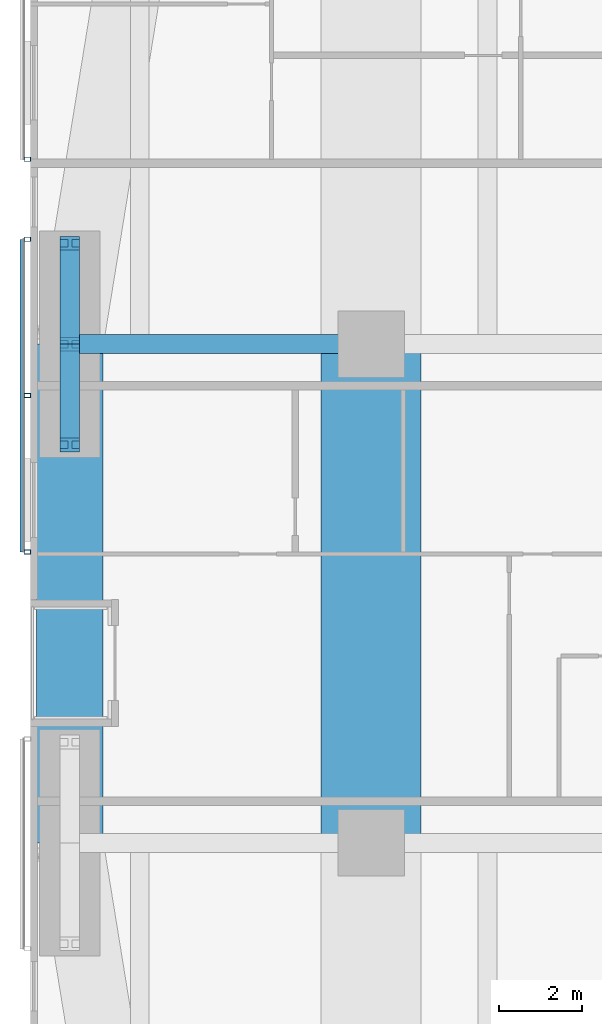
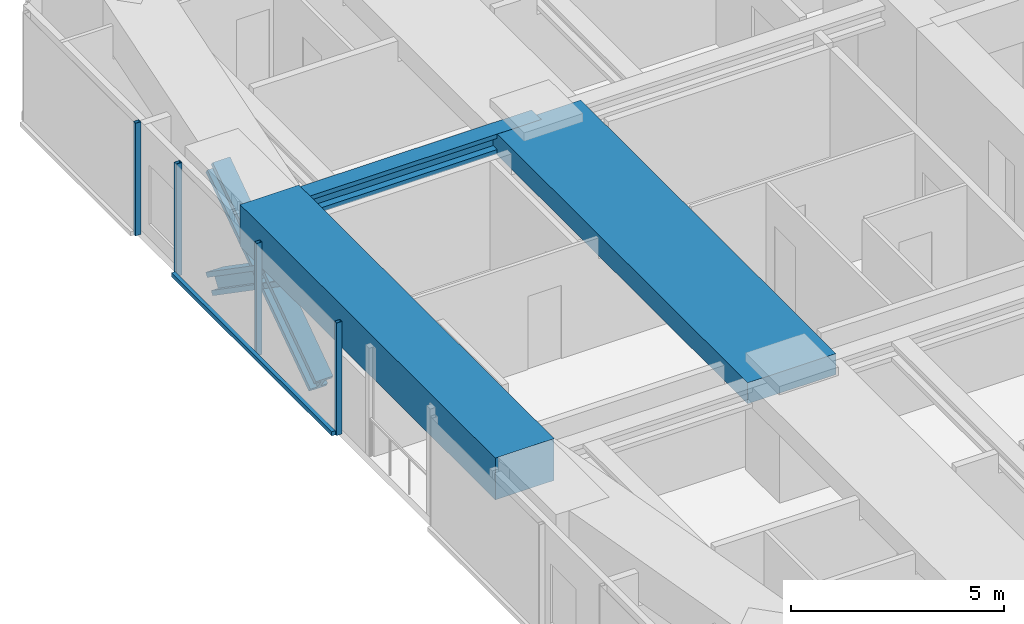
# One storey, part 6 of 23: 9 members, 3 beams, 2 elements without a shape of their own.
"""IFC4 building model written with IfcOpenShell, lengths in metres."""

import ifcopenshell
import ifcopenshell.guid

model = None  # the IFC model being written
_history = None  # IfcOwnerHistory: only IFC2X3 demands one
_inside = {}  # id of a spatial element -> (the spatial element, [elements in it])
_under = {}  # id of a project, library or spatial element -> (it, [spatial elements below it])
_declared = {}  # id of a project -> (the project, [libraries it declares])
_typed = {}  # id of a type object -> (the type object, [elements of that type])
_made_of = {}  # id of a material, layer set ... -> (it, [elements and type objects made of it])


def new_model(schema):
    """Start an empty IFC model of exactly this schema.

    Asked for "IFC4X3", IfcOpenShell would pick the latest addendum, in which some entities
    have other attributes; the version numbers below select the first issue.
    IFC2X3 requires an IfcOwnerHistory on every rooted entity: one is made here for all.
    """
    global model, _history
    if schema == "IFC4X3":
        model = ifcopenshell.file(schema_version=(4, 3, 0, 0))
    else:
        model = ifcopenshell.file(schema=schema)
    _inside.clear()
    _under.clear()
    _declared.clear()
    _typed.clear()
    _made_of.clear()
    _history = None
    if model.schema == "IFC2X3":
        org = make("IfcOrganization", Name="unknown")
        user = make(
            "IfcPersonAndOrganization",
            ThePerson=make("IfcPerson", FamilyName="unknown"),
            TheOrganization=org,
        )
        app = make(
            "IfcApplication",
            ApplicationDeveloper=org,
            Version="unknown",
            ApplicationFullName="unknown",
            ApplicationIdentifier="unknown",
        )
        _history = make(
            "IfcOwnerHistory",
            OwningUser=user,
            OwningApplication=app,
            ChangeAction="ADDED",
            CreationDate=0,
        )
    return model


def make(cls, **values):
    """One entity of the class cls with the attributes given. An attribute that is None is left unset."""
    return model.create_entity(
        cls, **{name: value for name, value in values.items() if value is not None}
    )


def rooted(cls, **values):
    """An entity with a GlobalId (a new one), such as an element, a storey or a relation."""
    return make(cls, GlobalId=ifcopenshell.guid.new(), OwnerHistory=_history, **values)


def si_unit(unit_type, name, prefix=None):
    """IfcSIUnit, for example si_unit("LENGTHUNIT", "METRE", prefix="MILLI")."""
    return make("IfcSIUnit", UnitType=unit_type, Prefix=prefix, Name=name)


def assignment(units):
    """IfcUnitAssignment: the units of a project."""
    return None if units is None else make("IfcUnitAssignment", Units=units)


def point(xyz):
    """IfcCartesianPoint."""
    return None if xyz is None else make("IfcCartesianPoint", Coordinates=xyz)


def direction(xyz):
    """IfcDirection."""
    return None if xyz is None else make("IfcDirection", DirectionRatios=xyz)


def frame(location, z_axis=None, x_axis=None):
    """IfcAxis2Placement3D, a coordinate frame: its origin and axes. An axis left out is left unset."""
    return make(
        "IfcAxis2Placement3D",
        Location=point(location),
        Axis=direction(z_axis),
        RefDirection=direction(x_axis),
    )


def frame_2d(location, x_axis=None):
    """IfcAxis2Placement2D, a coordinate frame in the plane: its origin and x axis."""
    return make(
        "IfcAxis2Placement2D", Location=point(location), RefDirection=direction(x_axis)
    )


def origin():
    """The frame at (0, 0, 0) with its axes left unset."""
    return frame((0.0, 0.0, 0.0))


def origin_2d():
    """The frame at (0, 0) in the plane with its x axis left unset."""
    return frame_2d((0.0, 0.0))


def place(relative_to, where):
    """IfcLocalPlacement: puts the frame where relative to a parent placement (None: the world)."""
    return make(
        "IfcLocalPlacement", PlacementRelTo=relative_to, RelativePlacement=where
    )


def context(
    kind, dimensions, precision=None, world=None, true_north=None, identifier=None
):
    """IfcGeometricRepresentationContext, for example the 3D "Model" context."""
    return make(
        "IfcGeometricRepresentationContext",
        ContextIdentifier=identifier,
        ContextType=kind,
        CoordinateSpaceDimension=dimensions,
        Precision=precision,
        WorldCoordinateSystem=world,
        TrueNorth=true_north,
    )


def subcontext(parent, identifier, kind, view, scale=None):
    """IfcGeometricRepresentationSubContext, for example "Body" below "Model"."""
    return make(
        "IfcGeometricRepresentationSubContext",
        ContextIdentifier=identifier,
        ContextType=kind,
        ParentContext=parent,
        TargetScale=scale,
        TargetView=view,
    )


def project(units=None, contexts=None):
    """IfcProject with its units and contexts."""
    return rooted(
        "IfcProject",
        Name="project",
        RepresentationContexts=contexts,
        UnitsInContext=assignment(units),
    )


def spatial(cls, under=None, at=None, **own):
    """A site, building, storey or space (cls), placed at a placement, below another one or the project."""
    s = rooted(cls, ObjectPlacement=at, **own)
    if under is not None:
        _under.setdefault(under.id(), (under, []))[1].append(s)
    return s


def profile(cls, at=None, kind="AREA", **sizes):
    """A parametric profile (cls). Its sizes go by their IFC names, for example OverallWidth=200.0."""
    return make(cls, ProfileType=kind, Position=at, **sizes)


def rectangle(**sizes):
    """IfcRectangleProfileDef."""
    return profile("IfcRectangleProfileDef", **sizes)


def hollow_rectangle(**sizes):
    """IfcRectangleHollowProfileDef."""
    return profile("IfcRectangleHollowProfileDef", **sizes)


def i_section(**sizes):
    """IfcIShapeProfileDef."""
    return profile("IfcIShapeProfileDef", **sizes)


def extrude(swept, where, along, depth):
    """IfcExtrudedAreaSolid: the profile swept, set in the frame where, extruded along a direction by depth."""
    return make(
        "IfcExtrudedAreaSolid",
        SweptArea=swept,
        Position=where,
        ExtrudedDirection=direction(along),
        Depth=depth,
    )


def shape(context_of_items, identifier, shape_type, items):
    """IfcShapeRepresentation: the items that make up one representation, for example the "Body"."""
    return make(
        "IfcShapeRepresentation",
        ContextOfItems=context_of_items,
        RepresentationIdentifier=identifier,
        RepresentationType=shape_type,
        Items=items,
    )


def material(Name=None, Category=None):
    """IfcMaterial."""
    return make("IfcMaterial", Name=Name, Category=Category)


def material_profile(
    of_material, cross_section, Name=None, Category=None, Priority=None
):
    """IfcMaterialProfile: a cross section and its material."""
    return make(
        "IfcMaterialProfile",
        Name=Name,
        Material=of_material,
        Profile=cross_section,
        Priority=Priority,
        Category=Category,
    )


def profile_set(profiles, Name=None, composite=None):
    """IfcMaterialProfileSet."""
    return make(
        "IfcMaterialProfileSet",
        Name=Name,
        MaterialProfiles=profiles,
        CompositeProfile=composite,
    )


def made_of(thing, what):
    """Note that an element or type object is made of a material, layer set ...; save() writes the relation."""
    if what is not None:
        _made_of.setdefault(what.id(), (what, []))[1].append(thing)
    return thing


def type_object(cls, material=None, **own):
    """A type object (cls), such as IfcWallType, which elements share."""
    return made_of(rooted(cls, **own), material)


def element(
    cls,
    number,
    at=None,
    inside=None,
    cuts=None,
    type_object=None,
    material=None,
    context=None,
    identifier="Body",
    shape_type=None,
    held_by="IfcProductDefinitionShape",
    body=None,
    shapes=None,
    **own,
):
    """One element of the class cls, such as IfcWall. Its Tag is "e" and its number.

    at: its placement. inside: the storey or other place that contains it. cuts: it is an
    opening in that element (IfcRelVoidsElement). A single representation is given by context,
    identifier, shape_type and body (its items); several are given by shapes. held_by: the class
    of the entity that holds the representations. save() writes the other relations.
    """
    e = rooted(cls, Tag="e%d" % number, ObjectPlacement=at, **own)
    if body is not None:
        shapes = [shape(context, identifier, shape_type, body)]
    if shapes is not None:
        e.Representation = make(held_by, Representations=shapes)
    if inside is not None:
        _inside.setdefault(inside.id(), (inside, []))[1].append(e)
    if cuts is not None:
        rooted(
            "IfcRelVoidsElement", RelatingBuildingElement=cuts, RelatedOpeningElement=e
        )
    if type_object is not None:
        _typed.setdefault(type_object.id(), (type_object, []))[1].append(e)
    return made_of(e, material)


def aggregate(whole, parts):
    """IfcRelAggregates: a whole, such as a stair, and the parts it consists of."""
    return rooted("IfcRelAggregates", RelatingObject=whole, RelatedObjects=parts)


def save(model, path):
    """Write the relations noted so far, then the file.

    IfcRelAggregates (storeys below a building ...), IfcRelContainedInSpatialStructure (elements
    in a storey), IfcRelDefinesByType, IfcRelAssociatesMaterial and IfcRelDeclares: one each for
    every whole, place, type object, material and project.
    """
    for whole, parts in _under.values():
        aggregate(whole, parts)
    for where, things in _inside.values():
        rooted(
            "IfcRelContainedInSpatialStructure",
            RelatedElements=things,
            RelatingStructure=where,
        )
    for kind, things in _typed.values():
        rooted("IfcRelDefinesByType", RelatedObjects=things, RelatingType=kind)
    for what, things in _made_of.values():
        rooted("IfcRelAssociatesMaterial", RelatedObjects=things, RelatingMaterial=what)
    for by, libraries in _declared.values():
        rooted("IfcRelDeclares", RelatingContext=by, RelatedDefinitions=libraries)
    model.write(path)


model = new_model("IFC4")

# Units and contexts
model_context = context("Model", 3, precision=1e-05, world=origin(), true_north=direction((0.0, 1.0)))
body_context = subcontext(model_context, "Body", "Model", "MODEL_VIEW")
ifc_project = project(units=[si_unit("LENGTHUNIT", "METRE"), si_unit("AREAUNIT", "SQUARE_METRE"), si_unit("VOLUMEUNIT", "CUBIC_METRE"), si_unit("PLANEANGLEUNIT", "RADIAN"), si_unit("MASSUNIT", "GRAM", prefix="KILO")], contexts=[model_context])

# Site, building, storey
site_placement = place(None, origin())
site = spatial("IfcSite", under=ifc_project, at=site_placement, CompositionType="ELEMENT")
building_placement = place(site_placement, origin())
building = spatial("IfcBuilding", under=site, at=building_placement, Name="Jalousie Tower", CompositionType="ELEMENT")
storey_placement = place(building_placement, frame((0.0, 0.0, 34.39990234375)))
storey = spatial("IfcBuildingStorey", under=building, at=storey_placement, Name="L08", CompositionType="ELEMENT", Elevation=34.39990234375)

# Beam
ifc_material_1 = material(Name="Steel ASTM A992 Grade 50", Category="steel")
ifc_material_profile_1 = material_profile(ifc_material_1, i_section(OverallWidth=0.45458984375, OverallDepth=0.569091796875, WebThickness=0.077880859375, FlangeThickness=0.124755859375, at=origin_2d()), Name="W14X730")
ifc_profile_set_1 = profile_set([ifc_material_profile_1], Name="Steel ASTM A992 Grade 50")
beam_type_1 = type_object("IfcBeamType", Name="LEAN COLLECTOR W14X730", PredefinedType="BEAM", material=ifc_profile_set_1)
beam_1_placement = place(storey_placement, frame((2.949951171875, 25.0, 2.82568359375), z_axis=(1.0, 0.0, 0.0), x_axis=(0.0, 1.0, 0.0)))
element("IfcBeam", 1, at=beam_1_placement, inside=storey, type_object=beam_type_1, Name="Lean collector under L09", PredefinedType="BEAM", context=body_context, shape_type="SweptSolid", body=[
    extrude(i_section(OverallWidth=0.45458984375, OverallDepth=0.569091796875, WebThickness=0.077880859375, FlangeThickness=0.124755859375, at=origin_2d()), origin(), (0.0, 0.0, 1.0), 7.25),
])

# Members
ifc_material_2 = material(Name="Steel ASTM A992 Grade 50", Category="steel")
ifc_material_profile_2 = material_profile(ifc_material_2, i_section(OverallWidth=0.472412109375, OverallDepth=0.5791015625, WebThickness=0.094970703125, FlangeThickness=0.1298828125, at=origin_2d()), Name="W14X808")
ifc_profile_set_2 = profile_set([ifc_material_profile_2], Name="Steel ASTM A992 Grade 50")
member_type_1 = type_object("IfcMemberType", Name="PERIMETER BRACE W14X808", PredefinedType="BRACE", material=ifc_profile_set_2)
for number, where, z_axis, x_axis, name in (
    (2, (2.949951171875, 22.574951171875, -0.599853515625), (0.0, 0.822800062329, 0.568330940062), (-1.0, 0.0, 0.0), "Perimeter brace 13 L08 part 1"),
    (3, (2.949951171875, 25.0, 1.0751953125), (0.0, 0.82283879777, 0.568274856811), (-1.0, 0.0, 0.0), "Perimeter brace 13 L08 part 2"),
    (4, (2.949951171875, 27.425048828125, -0.599853515625), (0.0, -0.822800062329, 0.568330940062), (1.0, 0.0, 0.0), "Perimeter brace 13 L08 part 3"),
    (5, (2.949951171875, 25.0, 1.0751953125), (0.0, -0.82283879777, 0.568274856811), (1.0, 0.0, 0.0), "Perimeter brace 13 L08 part 4"),
):
    element("IfcMember", number, at=place(storey_placement, frame(where, z_axis=z_axis, x_axis=x_axis)), inside=storey, type_object=member_type_1, Name=name, PredefinedType="BRACE", context=body_context, shape_type="SweptSolid", body=[
        extrude(i_section(OverallWidth=0.472412109375, OverallDepth=0.5791015625, WebThickness=0.094970703125, FlangeThickness=0.1298828125, at=origin_2d()), origin(), (0.0, 0.0, 1.0), 2.947265625),
    ])

# Beams
ifc_material_3 = material(Name="Concrete f'c 40 MPa", Category="concrete")
ifc_material_profile_3 = material_profile(ifc_material_3, rectangle(XDim=1.60009765625, YDim=1.199951171875, at=origin_2d()), Name="RC 1600x1200")
ifc_profile_set_3 = profile_set([ifc_material_profile_3], Name="Concrete f'c 40 MPa")
beam_type_2 = type_object("IfcBeamType", Name="RC BEAM 1600x1200", PredefinedType="BEAM", material=ifc_profile_set_3)
beam_2_placement = place(storey_placement, frame((2.949951171875, 25.0, 2.75), z_axis=(0.0, -1.0, 0.0), x_axis=(1.0, 0.0, 0.0)))
element("IfcBeam", 6, at=beam_2_placement, inside=storey, type_object=beam_type_2, Name="Edge band beam 13-14 under L09", PredefinedType="BEAM", context=body_context, shape_type="SweptSolid", body=[
    extrude(rectangle(XDim=1.60009765625, YDim=1.199951171875, at=origin_2d()), origin(), (0.0, 0.0, 1.0), 12.0),
])
ifc_material_4 = material(Name="Concrete f'c 40 MPa", Category="concrete")
ifc_material_profile_4 = material_profile(ifc_material_4, rectangle(XDim=2.39990234375, YDim=0.60009765625, at=origin_2d()), Name="RC 2400x600")
ifc_profile_set_4 = profile_set([ifc_material_profile_4], Name="Concrete f'c 40 MPa")
beam_type_3 = type_object("IfcBeamType", Name="RC BEAM 2400x600", PredefinedType="BEAM", material=ifc_profile_set_4)
beam_3_placement = place(storey_placement, frame((10.199951171875, 13.0, 2.81005859375), z_axis=(0.0, 1.0, 0.0), x_axis=(-1.0, 0.0, 0.0)))
element("IfcBeam", 7, at=beam_3_placement, inside=storey, type_object=beam_type_3, Name="Floor band beam under L09", PredefinedType="BEAM", context=body_context, shape_type="SweptSolid", body=[
    extrude(rectangle(XDim=2.39990234375, YDim=0.60009765625, at=origin_2d()), origin(), (0.0, 0.0, 1.0), 12.0),
])

# Curtain wall, member
ifc_material_5 = material(Name="Perforated aluminium sheet", Category="aluminium")
curtain_wall_type = type_object("IfcCurtainWallType", Name="SOLAR SCREEN SS-1", PredefinedType="USERDEFINED", material=ifc_material_5)
curtain_wall_1_placement = place(storey_placement, origin())
curtain_wall_1 = element("IfcCurtainWall", 8, at=curtain_wall_1_placement, inside=storey, type_object=curtain_wall_type, Name="Solar screen L08", ObjectType="SOLAR SCREEN SS-1", PredefinedType="USERDEFINED")
ifc_material_6 = material(Name="Steel ASTM A500 Grade C", Category="steel")
ifc_material_profile_5 = material_profile(ifc_material_6, hollow_rectangle(XDim=0.1015625, YDim=0.15234375, WallThickness=0.00634765625, at=origin_2d()), Name="HSS6X4X1/4")
ifc_profile_set_5 = profile_set([ifc_material_profile_5], Name="Steel ASTM A500 Grade C")
member_type_2 = type_object("IfcMemberType", Name="SOLAR SCREEN SS-1 MULLION", PredefinedType="MULLION", material=ifc_profile_set_5)
member_1_placement = place(storey_placement, frame((1.9287109375, 29.449951171875, -0.119873046875), z_axis=(0.0, 0.0, 1.0), x_axis=(0.0, -1.0, 0.0)))
member_1 = element("IfcMember", 9, at=member_1_placement, type_object=member_type_2, Name="SS1 post 2", PredefinedType="MULLION", context=body_context, shape_type="SweptSolid", body=[
    extrude(hollow_rectangle(XDim=0.1015625, YDim=0.15234375, WallThickness=0.00634765625, at=origin_2d()), origin(), (0.0, 0.0, 1.0), 3.22998046875),
])
aggregate(curtain_wall_1, [member_1])

# Curtain wall, members
curtain_wall_2_placement = place(storey_placement, origin())
curtain_wall_2 = element("IfcCurtainWall", 10, at=curtain_wall_2_placement, inside=storey, type_object=curtain_wall_type, Name="Solar screen L08", ObjectType="SOLAR SCREEN SS-1", PredefinedType="USERDEFINED")
member_2_placement = place(storey_placement, frame((1.9287109375, 27.52490234375, -0.119873046875), z_axis=(0.0, 0.0, 1.0), x_axis=(0.0, -1.0, 0.0)))
member_2 = element("IfcMember", 11, at=member_2_placement, type_object=member_type_2, Name="SS1 post 1", PredefinedType="MULLION", context=body_context, shape_type="SweptSolid", body=[
    extrude(hollow_rectangle(XDim=0.1015625, YDim=0.15234375, WallThickness=0.00634765625, at=origin_2d()), origin(), (0.0, 0.0, 1.0), 3.22998046875),
])
member_3_placement = place(storey_placement, frame((1.9287109375, 23.762451171875, -0.119873046875), z_axis=(0.0, 0.0, 1.0), x_axis=(0.0, -1.0, 0.0)))
member_3 = element("IfcMember", 12, at=member_3_placement, type_object=member_type_2, Name="SS1 post 2", PredefinedType="MULLION", context=body_context, shape_type="SweptSolid", body=[
    extrude(hollow_rectangle(XDim=0.1015625, YDim=0.15234375, WallThickness=0.00634765625, at=origin_2d()), origin(), (0.0, 0.0, 1.0), 3.22998046875),
])
member_4_placement = place(storey_placement, frame((1.9287109375, 20.0, -0.119873046875), z_axis=(0.0, 0.0, 1.0), x_axis=(0.0, -1.0, 0.0)))
member_4 = element("IfcMember", 13, at=member_4_placement, type_object=member_type_2, Name="SS1 post 3", PredefinedType="MULLION", context=body_context, shape_type="SweptSolid", body=[
    extrude(hollow_rectangle(XDim=0.1015625, YDim=0.15234375, WallThickness=0.00634765625, at=origin_2d()), origin(), (0.0, 0.0, 1.0), 3.22998046875),
])
ifc_material_7 = material(Name="Extruded aluminium screen rail", Category="aluminium")
ifc_material_profile_6 = material_profile(ifc_material_7, rectangle(XDim=0.1015625, YDim=0.1201171875, at=origin_2d()), Name="RAIL 102x120")
ifc_profile_set_6 = profile_set([ifc_material_profile_6], Name="Extruded aluminium screen rail")
member_type_3 = type_object("IfcMemberType", Name="SOLAR SCREEN SS-1 TRANSOM", PredefinedType="USERDEFINED", material=ifc_profile_set_6)
member_5_placement = place(storey_placement, frame((1.8017578125, 27.52490234375, -0.059814453125), z_axis=(0.0, -1.0, 0.0), x_axis=(1.0, 0.0, 0.0)))
member_5 = element("IfcMember", 14, at=member_5_placement, type_object=member_type_3, Name="SS1 rail", ObjectType="TRANSOM", PredefinedType="USERDEFINED", context=body_context, shape_type="SweptSolid", body=[
    extrude(rectangle(XDim=0.1015625, YDim=0.1201171875, at=origin_2d()), origin(), (0.0, 0.0, 1.0), 7.52490234375),
])
aggregate(curtain_wall_2, [member_2, member_3, member_4, member_5])

save(model, "model.ifc")
